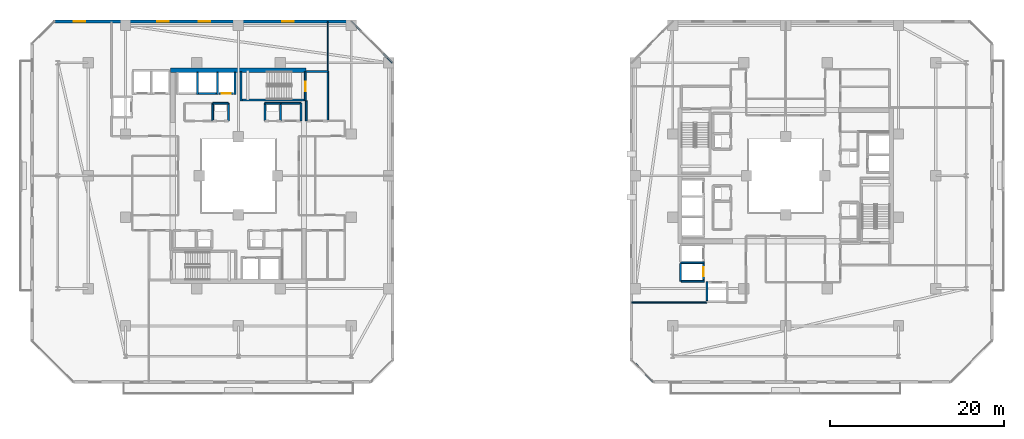
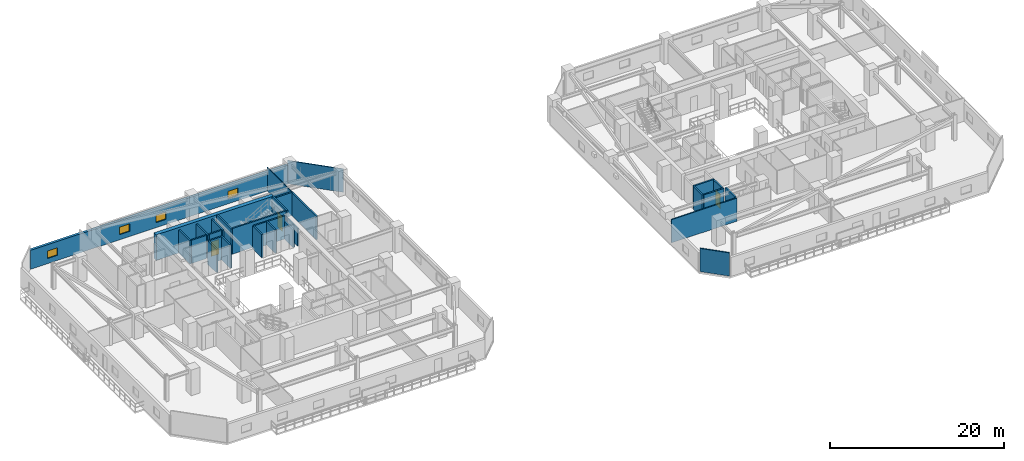
# One storey, part 21 of 34: 30 walls, 4 windows, 3 doors, 7 openings.
"""IFC4 building model written with IfcOpenShell, lengths in metres."""

from ifc_helpers import new_model, si_unit, direction, frame, frame_2d, origin, place, context, subcontext, project, spatial, rectangle, extrude, material, layer, layer_set, type_object, element, fill, save


model = new_model("IFC4")

# Units and contexts
model_context = context("Model", 3, precision=1e-05, world=origin(), true_north=direction((0.0, 1.0)))
body_context = subcontext(model_context, "Body", "Model", "MODEL_VIEW")
ifc_project = project(units=[si_unit("LENGTHUNIT", "METRE"), si_unit("AREAUNIT", "SQUARE_METRE"), si_unit("VOLUMEUNIT", "CUBIC_METRE"), si_unit("PLANEANGLEUNIT", "RADIAN"), si_unit("MASSUNIT", "GRAM", prefix="KILO")], contexts=[model_context])

# Site, building, storey
site_placement = place(None, origin())
site = spatial("IfcSite", under=ifc_project, at=site_placement, CompositionType="ELEMENT")
building_placement = place(site_placement, origin())
building = spatial("IfcBuilding", under=site, at=building_placement, Name="Thornwick Lancets Civic Towers", CompositionType="ELEMENT")
storey_placement = place(building_placement, frame((0.0, 0.0, 137.699951171875)))
storey = spatial("IfcBuildingStorey", under=building, at=storey_placement, Name="L36", CompositionType="ELEMENT", Elevation=137.699951171875)

# Wall, opening, door
ifc_material_1 = material(Name="Concrete blockwork C40/50", Category="masonry")
ifc_layer_1 = layer(ifc_material_1, 0.199951171875, Name="Concrete blockwork C40/50")
ifc_layer_set_1 = layer_set([ifc_layer_1], Name="Concrete blockwork C40/50")
wall_type_1 = type_object("IfcWallType", Name="WALL_COMP_200", PredefinedType="STANDARD", material=ifc_layer_set_1)
wall_1_placement = place(storey_placement, frame((24.919921875, 36.449951171875, 0.0), z_axis=(0.0, 0.0, 1.0), x_axis=(-1.0, 0.0, 0.0)))
wall_1 = element("IfcWall", 1, at=wall_1_placement, inside=storey, type_object=wall_type_1, Name="L36 Hoistway Front Wall FL-A2", PredefinedType="STANDARD", context=body_context, shape_type="SweptSolid", body=[
    extrude(rectangle(XDim=1.639892578125, YDim=0.199951171875, at=frame_2d((0.81982421875, 0.0))), origin(), (0.0, 0.0, 1.0), 3.260009765625),
])
opening_1_placement = place(wall_1_placement, frame((0.31005859375, 0.0, 0.0)))
opening_1 = element("IfcOpeningElement", 2, at=opening_1_placement, cuts=wall_1, Name="Opening LD-FL-A2", PredefinedType="OPENING", context=body_context, shape_type="SweptSolid", body=[
    extrude(rectangle(XDim=1.02001953125, YDim=2.06005859375, at=frame_2d((0.510009765625, 1.030029296875))), frame((0.0, 0.10986328125, 0.0), z_axis=(0.0, -1.0, 0.0), x_axis=(1.0, 0.0, 0.0)), (0.0, 0.0, 1.0), 0.219970703125),
])
ifc_material_2 = material(Name="Brushed bronze stainless steel", Category="steel")
door_type_1 = type_object("IfcDoorType", Name="DOOR_LIFT_SLIDE", OperationType="SLIDING_TO_LEFT", PredefinedType="DOOR", material=ifc_material_2)
door_1_placement = place(opening_1_placement, origin())
door_1 = element("IfcDoor", 3, at=door_1_placement, inside=storey, type_object=door_type_1, Name="L36 Sliding Lift Landing Door LD-FL-A2", OperationType="SLIDING_TO_LEFT", OverallHeight=2.06005859375, OverallWidth=1.02001953125, PredefinedType="DOOR", context=body_context, shape_type="SweptSolid", body=[
    extrude(rectangle(XDim=1.02001953125, YDim=2.06005859375, at=frame_2d((0.510009765625, 1.030029296875))), frame((0.0, 0.02490234375, 0.0), z_axis=(0.0, -1.0, 0.0), x_axis=(1.0, 0.0, 0.0)), (0.0, 0.0, 1.0), 0.050048828125),
])
fill(opening_1, door_1)

# Wall
wall_2_placement = place(storey_placement, frame((22.919921875, 36.449951171875, 0.0), z_axis=(0.0, 0.0, 1.0), x_axis=(-1.0, 0.0, 0.0)))
element("IfcWall", 4, at=wall_2_placement, inside=storey, type_object=wall_type_1, Name="L36 Hoistway Front Wall PL-AH2", PredefinedType="STANDARD", context=body_context, shape_type="SweptSolid", body=[
    extrude(rectangle(XDim=1.989990234375, YDim=0.199951171875, at=frame_2d((0.9951171875, 0.0))), origin(), (0.0, 0.0, 1.0), 3.260009765625),
])

# Wall, opening, door
wall_3_placement = place(storey_placement, frame((79.050048828125, 15.030029296875, 0.0), z_axis=(0.0, 0.0, 1.0), x_axis=(0.0, 1.0, 0.0)))
wall_3 = element("IfcWall", 5, at=wall_3_placement, inside=storey, type_object=wall_type_1, Name="L36 Hoistway Front Wall PL-BM2", PredefinedType="STANDARD", context=body_context, shape_type="SweptSolid", body=[
    extrude(rectangle(XDim=1.7900390625, YDim=0.199951171875, at=frame_2d((0.89501953125, 0.0))), origin(), (0.0, 0.0, 1.0), 3.260009765625),
])
opening_2_placement = place(wall_3_placement, frame((0.385009765625, 0.0, 0.0)))
opening_2 = element("IfcOpeningElement", 6, at=opening_2_placement, cuts=wall_3, Name="Opening LD-PL-BM2", PredefinedType="OPENING", context=body_context, shape_type="SweptSolid", body=[
    extrude(rectangle(XDim=1.02001953125, YDim=2.06005859375, at=frame_2d((0.510009765625, 1.030029296875))), frame((0.0, 0.10986328125, 0.0), z_axis=(0.0, -1.0, 0.0), x_axis=(1.0, 0.0, 0.0)), (0.0, 0.0, 1.0), 0.219970703125),
])
door_2_placement = place(opening_2_placement, origin())
door_2 = element("IfcDoor", 7, at=door_2_placement, inside=storey, type_object=door_type_1, Name="L36 Sliding Lift Landing Door LD-PL-BM2", OperationType="SLIDING_TO_LEFT", OverallHeight=2.06005859375, OverallWidth=1.02001953125, PredefinedType="DOOR", context=body_context, shape_type="SweptSolid", body=[
    extrude(rectangle(XDim=1.02001953125, YDim=2.06005859375, at=frame_2d((0.510009765625, 1.030029296875))), frame((0.0, 0.02490234375, 0.0), z_axis=(0.0, -1.0, 0.0), x_axis=(1.0, 0.0, 0.0)), (0.0, 0.0, 1.0), 0.050048828125),
])
fill(opening_2, door_2)

# Walls
for number, where, z_axis, x_axis, name in (
    (8, (25.10009765625, 36.35205078125, 0.0), (0.0, 0.0, 1.0), (0.0, 1.0, 0.0), "L36 Hoistway Shaft Wall FL-A2 E"),
    (9, (23.10009765625, 36.35205078125, 0.0), (0.0, 0.0, 1.0), (0.0, 1.0, 0.0), "L36 Hoistway Shaft Wall FL-A2 W"),
    (10, (20.77490234375, 36.35205078125, 0.0), (0.0, 0.0, 1.0), (0.0, 1.0, 0.0), "L36 Hoistway Shaft Wall PL-AH2 W"),
):
    element("IfcWall", number, at=place(storey_placement, frame(where, z_axis=z_axis, x_axis=x_axis)), inside=storey, type_object=wall_type_1, Name=name, PredefinedType="STANDARD", context=body_context, shape_type="SweptSolid", body=[
        extrude(rectangle(XDim=2.535888671875, YDim=0.199951171875, at=frame_2d((1.26806640625, 0.0))), origin(), (0.0, 0.0, 1.0), 3.260009765625),
    ])
wall_4_placement = place(storey_placement, frame((76.402099609375, 16.97509765625, 0.0), z_axis=(0.0, 0.0, 1.0), x_axis=(1.0, 0.0, 0.0)))
element("IfcWall", 11, at=wall_4_placement, inside=storey, type_object=wall_type_1, Name="L36 Hoistway Shaft Wall PL-BM1 S", PredefinedType="STANDARD", context=body_context, shape_type="SweptSolid", body=[
    extrude(rectangle(XDim=2.745849609375, YDim=0.199951171875, at=frame_2d((1.373046875, 0.0))), origin(), (0.0, 0.0, 1.0), 3.260009765625),
])
wall_5_placement = place(storey_placement, frame((76.39990234375, 14.85205078125, 0.0), z_axis=(0.0, 0.0, 1.0), x_axis=(0.0, 1.0, 0.0)))
element("IfcWall", 12, at=wall_5_placement, inside=storey, type_object=wall_type_1, Name="L36 Hoistway Shaft Wall PL-BM1 W", PredefinedType="STANDARD", context=body_context, shape_type="SweptSolid", body=[
    extrude(rectangle(XDim=2.015869140625, YDim=0.199951171875, at=frame_2d((1.0078125, 0.0))), origin(), (0.0, 0.0, 1.0), 3.260009765625),
])
wall_6_placement = place(storey_placement, frame((76.511962890625, 14.85009765625, 0.0), z_axis=(0.0, 0.0, 1.0), x_axis=(1.0, 0.0, 0.0)))
element("IfcWall", 13, at=wall_6_placement, inside=storey, type_object=wall_type_1, Name="L36 Hoistway Shaft Wall PL-BM2 S", PredefinedType="STANDARD", context=body_context, shape_type="SweptSolid", body=[
    extrude(rectangle(XDim=2.635986328125, YDim=0.199951171875, at=frame_2d((1.31787109375, 0.0))), origin(), (0.0, 0.0, 1.0), 3.260009765625),
])
wall_7_placement = place(storey_placement, frame((79.449951171875, 12.612060546875, 0.0), z_axis=(0.0, 0.0, 1.0), x_axis=(0.0, 1.0, 0.0)))
element("IfcWall", 14, at=wall_7_placement, inside=storey, type_object=wall_type_1, Name="L36 Hoistway Shaft Wall PL-BM3 W", PredefinedType="STANDARD", context=body_context, shape_type="SweptSolid", body=[
    extrude(rectangle(XDim=2.18603515625, YDim=0.199951171875, at=frame_2d((1.093017578125, 0.0))), origin(), (0.0, 0.0, 1.0), 3.260009765625),
])
wall_8_placement = place(storey_placement, frame((35.800048828125, 33.300048828125, 0.0), z_axis=(0.0, 0.0, 1.0), x_axis=(0.0, 1.0, 0.0)))
element("IfcWall", 15, at=wall_8_placement, inside=storey, type_object=wall_type_1, Name="L36 Partition L36-A-FFLOB2 E2", PredefinedType="STANDARD", context=body_context, shape_type="SweptSolid", body=[
    extrude(rectangle(XDim=5.699951171875, YDim=0.199951171875, at=frame_2d((2.85009765625, 0.0))), origin(), (0.0, 0.0, 1.0), 3.260009765625),
])
wall_9_placement = place(storey_placement, frame((35.800048828125, 39.0, 0.0), z_axis=(0.0, 0.0, 1.0), x_axis=(-1.0, 0.0, 0.0)))
element("IfcWall", 16, at=wall_9_placement, inside=storey, type_object=wall_type_1, Name="L36 Partition L36-A-FFLOB2 E3", PredefinedType="STANDARD", context=body_context, shape_type="SweptSolid", body=[
    extrude(rectangle(XDim=2.5, YDim=0.199951171875, at=frame_2d((1.25, 0.0))), origin(), (0.0, 0.0, 1.0), 3.260009765625),
])
wall_10_placement = place(storey_placement, frame((33.300048828125, 35.60009765625, 0.0), z_axis=(0.0, 0.0, 1.0), x_axis=(0.0, -1.0, 0.0)))
element("IfcWall", 17, at=wall_10_placement, inside=storey, type_object=wall_type_1, Name="L36 Partition L36-A-FFLOB2 E4", PredefinedType="STANDARD", context=body_context, shape_type="SweptSolid", body=[
    extrude(rectangle(XDim=2.300048828125, YDim=0.199951171875, at=frame_2d((1.14990234375, 0.0))), origin(), (0.0, 0.0, 1.0), 2.465087890625),
])
wall_11_placement = place(storey_placement, frame((24.35009765625, 33.300048828125, 0.0), z_axis=(0.0, 0.0, 1.0), x_axis=(0.0, 1.0, 0.0)))
element("IfcWall", 18, at=wall_11_placement, inside=storey, type_object=wall_type_1, Name="L36 Partition L36-A-DUCT2 E2", PredefinedType="STANDARD", context=body_context, shape_type="SweptSolid", body=[
    extrude(rectangle(XDim=2.050048828125, YDim=0.199951171875, at=frame_2d((1.02490234375, 0.0))), origin(), (0.0, 0.0, 1.0), 3.260009765625),
])
wall_12_placement = place(storey_placement, frame((24.35009765625, 35.35009765625, 0.0), z_axis=(0.0, 0.0, 1.0), x_axis=(-1.0, 0.0, 0.0)))
element("IfcWall", 19, at=wall_12_placement, inside=storey, type_object=wall_type_1, Name="L36 Partition L36-A-DUCT2 E3", PredefinedType="STANDARD", context=body_context, shape_type="SweptSolid", body=[
    extrude(rectangle(XDim=1.800048828125, YDim=0.199951171875, at=frame_2d((0.89990234375, 0.0))), origin(), (0.0, 0.0, 1.0), 3.260009765625),
])
for number, where, z_axis, x_axis, name in (
    (20, (22.550048828125, 35.35009765625, 0.0), (0.0, 0.0, 1.0), (0.0, -1.0, 0.0), "L36 Partition L36-A-DUCT2 E4"),
    (21, (30.35009765625, 33.300048828125, 0.0), (0.0, 0.0, 1.0), (0.0, 1.0, 0.0), "L36 Partition L36-A-RISER2 E2"),
):
    element("IfcWall", number, at=place(storey_placement, frame(where, z_axis=z_axis, x_axis=x_axis)), inside=storey, type_object=wall_type_1, Name=name, PredefinedType="STANDARD", context=body_context, shape_type="SweptSolid", body=[
        extrude(rectangle(XDim=2.050048828125, YDim=0.199951171875, at=frame_2d((1.02490234375, 0.0))), origin(), (0.0, 0.0, 1.0), 3.260009765625),
    ])
wall_13_placement = place(storey_placement, frame((30.35009765625, 35.35009765625, 0.0), z_axis=(0.0, 0.0, 1.0), x_axis=(-1.0, 0.0, 0.0)))
element("IfcWall", 22, at=wall_13_placement, inside=storey, type_object=wall_type_1, Name="L36 Partition L36-A-RISER2 E3", PredefinedType="STANDARD", context=body_context, shape_type="SweptSolid", body=[
    extrude(rectangle(XDim=1.800048828125, YDim=0.199951171875, at=frame_2d((0.89990234375, 0.0))), origin(), (0.0, 0.0, 1.0), 3.260009765625),
])
wall_14_placement = place(storey_placement, frame((28.550048828125, 35.35009765625, 0.0), z_axis=(0.0, 0.0, 1.0), x_axis=(0.0, -1.0, 0.0)))
element("IfcWall", 23, at=wall_14_placement, inside=storey, type_object=wall_type_1, Name="L36 Partition L36-A-RISER2 E4", PredefinedType="STANDARD", context=body_context, shape_type="SweptSolid", body=[
    extrude(rectangle(XDim=2.050048828125, YDim=0.199951171875, at=frame_2d((1.02490234375, 0.0))), origin(), (0.0, 0.0, 1.0), 3.260009765625),
])
wall_15_placement = place(storey_placement, frame((32.699951171875, 35.35009765625, 0.0), z_axis=(0.0, 0.0, 1.0), x_axis=(0.0, -1.0, 0.0)))
element("IfcWall", 24, at=wall_15_placement, inside=storey, type_object=wall_type_1, Name="L36 Partition L36-A-STR E1", PredefinedType="STANDARD", context=body_context, shape_type="SweptSolid", body=[
    extrude(rectangle(XDim=2.050048828125, YDim=0.199951171875, at=frame_2d((1.02490234375, 0.0))), origin(), (0.0, 0.0, 1.0), 2.465087890625),
])
wall_16_placement = place(storey_placement, frame((30.35009765625, 35.35009765625, 0.0), z_axis=(0.0, 0.0, 1.0), x_axis=(1.0, 0.0, 0.0)))
element("IfcWall", 25, at=wall_16_placement, inside=storey, type_object=wall_type_1, Name="L36 Partition L36-A-STR E4", PredefinedType="STANDARD", context=body_context, shape_type="SweptSolid", body=[
    extrude(rectangle(XDim=2.349853515625, YDim=0.199951171875, at=frame_2d((1.1748046875, 0.0))), origin(), (0.0, 0.0, 1.0), 3.260009765625),
])
ifc_material_3 = material(Name="Concrete C50/60", Category="concrete")
ifc_layer_2 = layer(ifc_material_3, 0.5, Name="Concrete C50/60")
ifc_layer_set_2 = layer_set([ifc_layer_2], Name="Concrete C50/60")
wall_type_2 = type_object("IfcWallType", Name="WALL_CORE_500", PredefinedType="SHEAR", material=ifc_layer_set_2)
wall_17_placement = place(storey_placement, frame((17.699951171875, 39.14990234375, 0.0), z_axis=(0.0, 0.0, 1.0), x_axis=(1.0, 0.0, 0.0)))
element("IfcWall", 26, at=wall_17_placement, inside=storey, type_object=wall_type_2, Name="L36 Split Core A2 Shear Wall N", PredefinedType="SHEAR", context=body_context, shape_type="SweptSolid", body=[
    extrude(rectangle(XDim=15.60009765625, YDim=0.5, at=frame_2d((7.800048828125, 0.0))), origin(), (0.0, 0.0, 1.0), 3.60009765625),
])

# Wall, openings, windows
ifc_material_4 = material(Name="Insulated buff terracotta rainscreen on concrete C40/50", Category="masonry")
ifc_layer_3 = layer(ifc_material_4, 0.320068359375, Name="Insulated buff terracotta rainscreen on concrete C40/50")
ifc_layer_set_3 = layer_set([ifc_layer_3], Name="Insulated buff terracotta rainscreen on concrete C40/50")
wall_type_3 = type_object("IfcWallType", Name="WALL_EXT_TERRA_320", PredefinedType="STANDARD", material=ifc_layer_set_3)
wall_18_placement = place(storey_placement, frame((38.47509765625, 44.75732421875, 0.0), z_axis=(0.0, 0.0, 1.0), x_axis=(-0.99999997701, 0.000214431216, 0.0)))
wall_18 = element("IfcWall", 27, at=wall_18_placement, inside=storey, type_object=wall_type_3, Name="L36 Tower A Terracotta Facade Wall E4", PredefinedType="STANDARD", context=body_context, shape_type="SweptSolid", body=[
    extrude(rectangle(XDim=34.156494140625, YDim=0.320068359375, at=frame_2d((17.078125, 0.0))), origin(), (0.0, 0.0, 1.0), 2.66015625),
])
opening_3_placement = place(wall_18_placement, frame((6.60009765625, 0.0, 0.719970703125)))
opening_3 = element("IfcOpeningElement", 28, at=opening_3_placement, cuts=wall_18, Name="Opening WL-03", PredefinedType="OPENING", context=body_context, shape_type="SweptSolid", body=[
    extrude(rectangle(XDim=1.35009765625, YDim=1.050048828125, at=frame_2d((0.675048828125, 0.52490234375))), frame((0.0, 0.169921875, 0.0), z_axis=(0.0, -1.0, 0.0), x_axis=(1.0, 0.0, 0.0)), (0.0, 0.0, 1.0), 0.340087890625),
])
opening_4_placement = place(wall_18_placement, frame((16.199951171875, 0.0, 0.719970703125)))
opening_4 = element("IfcOpeningElement", 29, at=opening_4_placement, cuts=wall_18, Name="Opening WL-03", PredefinedType="OPENING", context=body_context, shape_type="SweptSolid", body=[
    extrude(rectangle(XDim=1.35009765625, YDim=1.050048828125, at=frame_2d((0.675048828125, 0.52490234375))), frame((0.0, 0.169921875, 0.0), z_axis=(0.0, -1.0, 0.0), x_axis=(1.0, 0.0, 0.0)), (0.0, 0.0, 1.0), 0.340087890625),
])
opening_5_placement = place(wall_18_placement, frame((21.0, 0.0, 0.719970703125)))
opening_5 = element("IfcOpeningElement", 30, at=opening_5_placement, cuts=wall_18, Name="Opening WL-03", PredefinedType="OPENING", context=body_context, shape_type="SweptSolid", body=[
    extrude(rectangle(XDim=1.35009765625, YDim=1.050048828125, at=frame_2d((0.675048828125, 0.52490234375))), frame((0.0, 0.169921875, 0.0), z_axis=(0.0, -1.0, 0.0), x_axis=(1.0, 0.0, 0.0)), (0.0, 0.0, 1.0), 0.340087890625),
])
opening_6_placement = place(wall_18_placement, frame((30.60009765625, 0.0, 0.719970703125)))
opening_6 = element("IfcOpeningElement", 31, at=opening_6_placement, cuts=wall_18, Name="Opening WL-03", PredefinedType="OPENING", context=body_context, shape_type="SweptSolid", body=[
    extrude(rectangle(XDim=1.35009765625, YDim=1.050048828125, at=frame_2d((0.675048828125, 0.52490234375))), frame((0.0, 0.169921875, 0.0), z_axis=(0.0, -1.0, 0.0), x_axis=(1.0, 0.0, 0.0)), (0.0, 0.0, 1.0), 0.340087890625),
])
ifc_material_5 = material(Name="Clear low-e double glazing clerestory lancet", Category="glass")
window_type = type_object("IfcWindowType", Name="WIN_LANCET_1350", PartitioningType="SINGLE_PANEL", PredefinedType="WINDOW", material=ifc_material_5)
window_1_placement = place(opening_3_placement, origin())
window_1 = element("IfcWindow", 32, at=window_1_placement, inside=storey, type_object=window_type, Name="L36 Tower A Staggered Lancet Window E4-1", OverallHeight=1.050048828125, OverallWidth=1.35009765625, PartitioningType="SINGLE_PANEL", PredefinedType="WINDOW", context=body_context, shape_type="SweptSolid", body=[
    extrude(rectangle(XDim=1.35009765625, YDim=1.050048828125, at=frame_2d((0.675048828125, 0.52490234375))), frame((0.0, 0.030029296875, 0.0), z_axis=(0.0, -1.0, 0.0), x_axis=(1.0, 0.0, 0.0)), (0.0, 0.0, 1.0), 0.06005859375),
])
fill(opening_3, window_1)
window_2_placement = place(opening_4_placement, origin())
window_2 = element("IfcWindow", 33, at=window_2_placement, inside=storey, type_object=window_type, Name="L36 Tower A Staggered Lancet Window E4-2", OverallHeight=1.050048828125, OverallWidth=1.35009765625, PartitioningType="SINGLE_PANEL", PredefinedType="WINDOW", context=body_context, shape_type="SweptSolid", body=[
    extrude(rectangle(XDim=1.35009765625, YDim=1.050048828125, at=frame_2d((0.675048828125, 0.52490234375))), frame((0.0, 0.030029296875, 0.0), z_axis=(0.0, -1.0, 0.0), x_axis=(1.0, 0.0, 0.0)), (0.0, 0.0, 1.0), 0.06005859375),
])
fill(opening_4, window_2)
window_3_placement = place(opening_5_placement, origin())
window_3 = element("IfcWindow", 34, at=window_3_placement, inside=storey, type_object=window_type, Name="L36 Tower A Staggered Lancet Window E4-3", OverallHeight=1.050048828125, OverallWidth=1.35009765625, PartitioningType="SINGLE_PANEL", PredefinedType="WINDOW", context=body_context, shape_type="SweptSolid", body=[
    extrude(rectangle(XDim=1.35009765625, YDim=1.050048828125, at=frame_2d((0.675048828125, 0.52490234375))), frame((0.0, 0.030029296875, 0.0), z_axis=(0.0, -1.0, 0.0), x_axis=(1.0, 0.0, 0.0)), (0.0, 0.0, 1.0), 0.06005859375),
])
fill(opening_5, window_3)
window_4_placement = place(opening_6_placement, origin())
window_4 = element("IfcWindow", 35, at=window_4_placement, inside=storey, type_object=window_type, Name="L36 Tower A Staggered Lancet Window E4-4", OverallHeight=1.050048828125, OverallWidth=1.35009765625, PartitioningType="SINGLE_PANEL", PredefinedType="WINDOW", context=body_context, shape_type="SweptSolid", body=[
    extrude(rectangle(XDim=1.35009765625, YDim=1.050048828125, at=frame_2d((0.675048828125, 0.52490234375))), frame((0.0, 0.030029296875, 0.0), z_axis=(0.0, -1.0, 0.0), x_axis=(1.0, 0.0, 0.0)), (0.0, 0.0, 1.0), 0.06005859375),
])
fill(opening_6, window_4)

# Walls
ifc_material_6 = material(Name="Acoustic gypsum board partition")
ifc_layer_4 = layer(ifc_material_6, 0.1201171875, Name="Acoustic gypsum board partition")
ifc_layer_set_4 = layer_set([ifc_layer_4], Name="Acoustic gypsum board partition")
wall_type_4 = type_object("IfcWallType", Name="WALL_PART_120", PredefinedType="PARTITIONING", material=ifc_layer_set_4)
wall_19_placement = place(storey_placement, frame((35.800048828125, 39.0, 0.0), z_axis=(0.0, 0.0, 1.0), x_axis=(0.0, 1.0, 0.0)))
element("IfcWall", 36, at=wall_19_placement, inside=storey, type_object=wall_type_4, Name="L36 Partition L36-A-E4 E6", PredefinedType="PARTITIONING", context=body_context, shape_type="SweptSolid", body=[
    extrude(rectangle(XDim=5.719970703125, YDim=0.1201171875, at=frame_2d((2.85986328125, 0.0))), origin(), (0.0, 0.0, 1.0), 3.260009765625),
])
wall_20_placement = place(storey_placement, frame((38.510498046875, 44.719970703125, 0.0), z_axis=(0.0, 0.0, 1.0), x_axis=(0.707106781187, -0.707106781187, 0.0)))
element("IfcWall", 37, at=wall_20_placement, inside=storey, type_object=wall_type_4, Name="L36 Partition L36-A-E4 E8", PredefinedType="PARTITIONING", context=body_context, shape_type="SweptSolid", body=[
    extrude(rectangle(XDim=6.66015625, YDim=0.1201171875, at=frame_2d((3.330078125, 0.0))), origin(), (0.0, 0.0, 1.0), 3.260009765625),
])
ifc_material_7 = material(Name="Twin-stud acoustic gypsum board")
ifc_layer_5 = layer(ifc_material_7, 0.14990234375, Name="Twin-stud acoustic gypsum board")
ifc_layer_set_5 = layer_set([ifc_layer_5], Name="Twin-stud acoustic gypsum board")
wall_type_5 = type_object("IfcWallType", Name="WALL_PART_150", PredefinedType="PARTITIONING", material=ifc_layer_set_5)
wall_21_placement = place(storey_placement, frame((73.274658203125, 3.280029296875, 0.0), z_axis=(0.0, 0.0, 1.0), x_axis=(-0.707106781187, 0.707106781187, 0.0)))
element("IfcWall", 38, at=wall_21_placement, inside=storey, type_object=wall_type_5, Name="L36 Partition L36-B-W4 E7", PredefinedType="PARTITIONING", context=body_context, shape_type="SweptSolid", body=[
    extrude(rectangle(XDim=3.52783203125, YDim=0.14990234375, at=frame_2d((1.763916015625, 0.0))), origin(), (0.0, 0.0, 1.0), 3.260009765625),
])
wall_22_placement = place(storey_placement, frame((70.780029296875, 12.39990234375, 0.0), z_axis=(0.0, 0.0, 1.0), x_axis=(1.0, 0.0, 0.0)))
element("IfcWall", 39, at=wall_22_placement, inside=storey, type_object=wall_type_5, Name="L36 Partition L36-B-W4 E9", PredefinedType="PARTITIONING", context=body_context, shape_type="SweptSolid", body=[
    extrude(rectangle(XDim=8.671875, YDim=0.14990234375, at=frame_2d((4.3359375, 0.0))), origin(), (0.0, 0.0, 1.0), 3.260009765625),
])

# Wall, opening, door
ifc_material_8 = material(Name="Concrete C40/50", Category="concrete")
ifc_layer_6 = layer(ifc_material_8, 0.199951171875, Name="Concrete C40/50")
ifc_layer_set_6 = layer_set([ifc_layer_6], Name="Concrete C40/50")
wall_type_6 = type_object("IfcWallType", Name="WALL_SHAFT_200", PredefinedType="SHEAR", material=ifc_layer_set_6)
wall_23_placement = place(storey_placement, frame((33.199951171875, 38.949951171875, 0.0), z_axis=(0.0, 0.0, 1.0), x_axis=(0.0, -1.0, 0.0)))
wall_23 = element("IfcWall", 40, at=wall_23_placement, inside=storey, type_object=wall_type_6, Name="L36 ST-A2 Fire Stair Core Wall NEAR", PredefinedType="SHEAR", context=body_context, shape_type="SweptSolid", body=[
    extrude(rectangle(XDim=3.349853515625, YDim=0.199951171875, at=frame_2d((1.6748046875, 0.0))), origin(), (0.0, 0.0, 1.0), 3.60009765625),
])
opening_7_placement = place(wall_23_placement, frame((1.125, 0.0, 0.0)))
opening_7 = element("IfcOpeningElement", 41, at=opening_7_placement, cuts=wall_23, Name="Opening D-ST-A2-L36", PredefinedType="OPENING", context=body_context, shape_type="SweptSolid", body=[
    extrude(rectangle(XDim=1.10009765625, YDim=2.10009765625, at=frame_2d((0.550048828125, 1.050048828125))), frame((0.0, 0.10986328125, 0.0), z_axis=(0.0, -1.0, 0.0), x_axis=(1.0, 0.0, 0.0)), (0.0, 0.0, 1.0), 0.219970703125),
])
ifc_material_9 = material(Name="Fire-resisting steel and hardwood", Category="steel")
door_type_2 = type_object("IfcDoorType", Name="DOOR_STAIR_FD60", OperationType="NOTDEFINED", PredefinedType="DOOR", material=ifc_material_9)
door_3_placement = place(opening_7_placement, origin())
door_3 = element("IfcDoor", 42, at=door_3_placement, inside=storey, type_object=door_type_2, Name="L36 ST-A2 Exit Stair Door", OperationType="SINGLE_SWING_LEFT", OverallHeight=2.10009765625, OverallWidth=1.10009765625, PredefinedType="DOOR", context=body_context, shape_type="SweptSolid", body=[
    extrude(rectangle(XDim=1.10009765625, YDim=2.10009765625, at=frame_2d((0.550048828125, 1.050048828125))), frame((0.0, 0.02490234375, 0.0), z_axis=(0.0, -1.0, 0.0), x_axis=(1.0, 0.0, 0.0)), (0.0, 0.0, 1.0), 0.050048828125),
])
fill(opening_7, door_3)

# Walls
wall_24_placement = place(storey_placement, frame((25.800048828125, 35.60009765625, 0.0), z_axis=(0.0, 0.0, 1.0), x_axis=(0.0, 1.0, 0.0)))
element("IfcWall", 43, at=wall_24_placement, inside=storey, type_object=wall_type_6, Name="L36 ST-A2 Fire Stair Core Wall FAR", PredefinedType="SHEAR", context=body_context, shape_type="SweptSolid", body=[
    extrude(rectangle(XDim=3.349853515625, YDim=0.199951171875, at=frame_2d((1.6748046875, 0.0))), origin(), (0.0, 0.0, 1.0), 3.60009765625),
])
wall_25_placement = place(storey_placement, frame((25.949951171875, 35.702880859375, 0.0), z_axis=(0.0, 0.0, 1.0), x_axis=(1.0, 0.0, 0.0)))
element("IfcWall", 44, at=wall_25_placement, inside=storey, type_object=wall_type_6, Name="L36 ST-A2 Fire Stair Core Wall RIGHT", PredefinedType="SHEAR", context=body_context, shape_type="SweptSolid", body=[
    extrude(rectangle(XDim=7.10009765625, YDim=0.199951171875, at=frame_2d((3.550048828125, 0.0))), origin(), (0.0, 0.0, 1.0), 3.60009765625),
])

save(model, "model.ifc")
